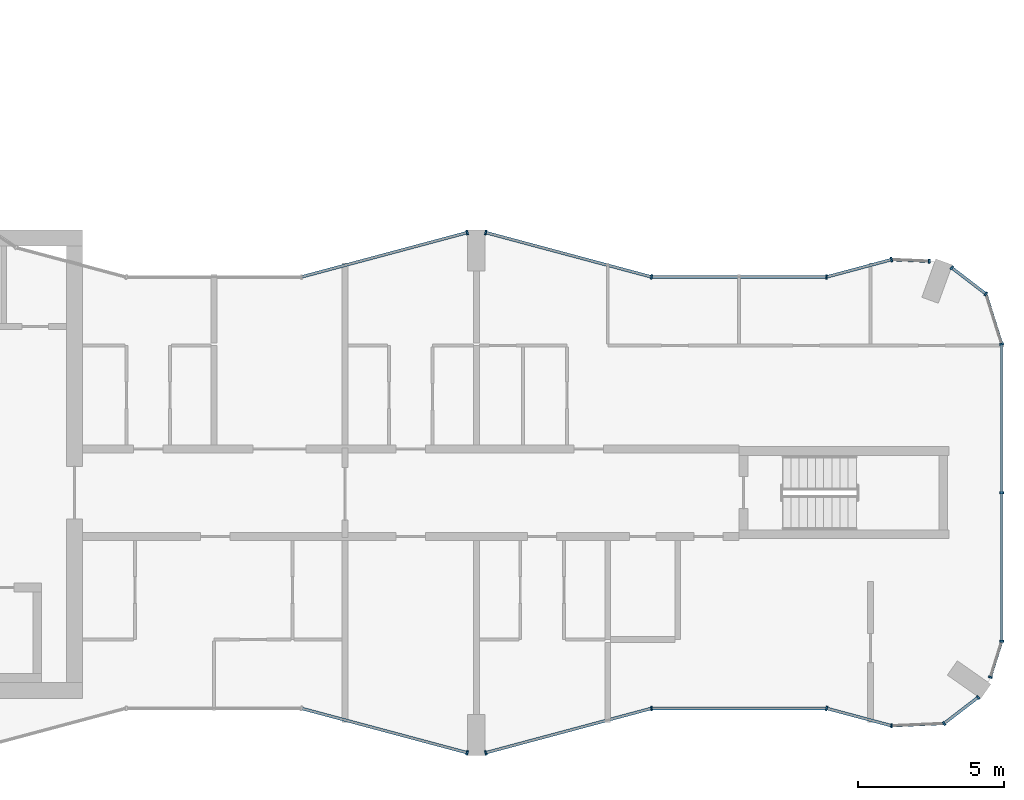
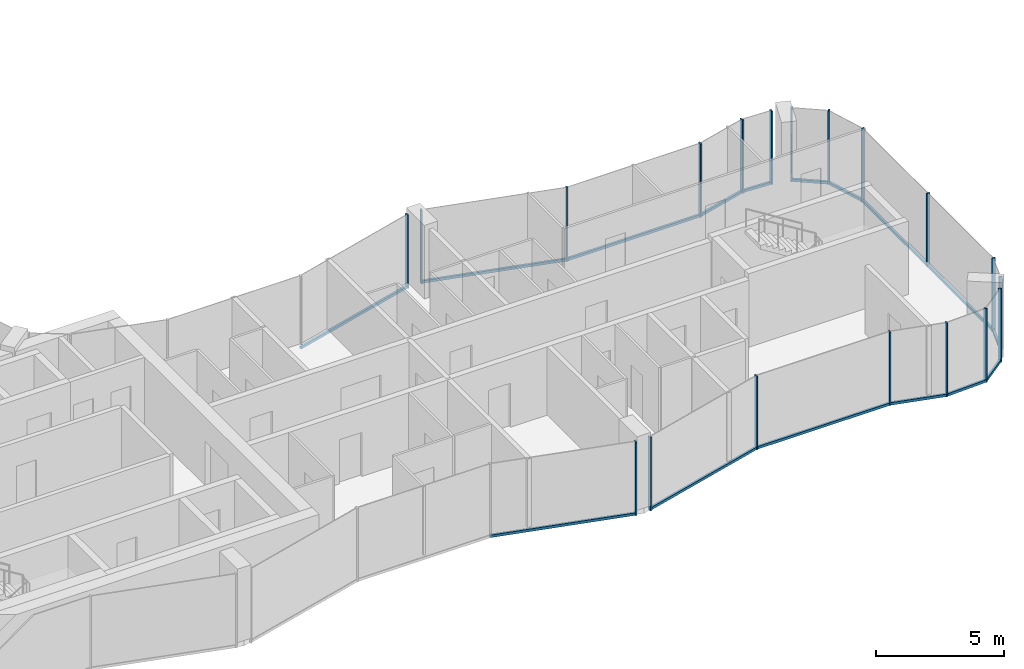
# One storey, part 6 of 16: 34 members, 15 elements without a shape of their own.
"""IFC4 building model written with IfcOpenShell, lengths in metres."""

import ifcopenshell
import ifcopenshell.guid

model = None  # the IFC model being written
_history = None  # IfcOwnerHistory: only IFC2X3 demands one
_inside = {}  # id of a spatial element -> (the spatial element, [elements in it])
_under = {}  # id of a project, library or spatial element -> (it, [spatial elements below it])
_declared = {}  # id of a project -> (the project, [libraries it declares])
_typed = {}  # id of a type object -> (the type object, [elements of that type])
_made_of = {}  # id of a material, layer set ... -> (it, [elements and type objects made of it])


def new_model(schema):
    """Start an empty IFC model of exactly this schema.

    Asked for "IFC4X3", IfcOpenShell would pick the latest addendum, in which some entities
    have other attributes; the version numbers below select the first issue.
    IFC2X3 requires an IfcOwnerHistory on every rooted entity: one is made here for all.
    """
    global model, _history
    if schema == "IFC4X3":
        model = ifcopenshell.file(schema_version=(4, 3, 0, 0))
    else:
        model = ifcopenshell.file(schema=schema)
    _inside.clear()
    _under.clear()
    _declared.clear()
    _typed.clear()
    _made_of.clear()
    _history = None
    if model.schema == "IFC2X3":
        org = make("IfcOrganization", Name="unknown")
        user = make(
            "IfcPersonAndOrganization",
            ThePerson=make("IfcPerson", FamilyName="unknown"),
            TheOrganization=org,
        )
        app = make(
            "IfcApplication",
            ApplicationDeveloper=org,
            Version="unknown",
            ApplicationFullName="unknown",
            ApplicationIdentifier="unknown",
        )
        _history = make(
            "IfcOwnerHistory",
            OwningUser=user,
            OwningApplication=app,
            ChangeAction="ADDED",
            CreationDate=0,
        )
    return model


def make(cls, **values):
    """One entity of the class cls with the attributes given. An attribute that is None is left unset."""
    return model.create_entity(
        cls, **{name: value for name, value in values.items() if value is not None}
    )


def rooted(cls, **values):
    """An entity with a GlobalId (a new one), such as an element, a storey or a relation."""
    return make(cls, GlobalId=ifcopenshell.guid.new(), OwnerHistory=_history, **values)


def si_unit(unit_type, name, prefix=None):
    """IfcSIUnit, for example si_unit("LENGTHUNIT", "METRE", prefix="MILLI")."""
    return make("IfcSIUnit", UnitType=unit_type, Prefix=prefix, Name=name)


def assignment(units):
    """IfcUnitAssignment: the units of a project."""
    return None if units is None else make("IfcUnitAssignment", Units=units)


def point(xyz):
    """IfcCartesianPoint."""
    return None if xyz is None else make("IfcCartesianPoint", Coordinates=xyz)


def direction(xyz):
    """IfcDirection."""
    return None if xyz is None else make("IfcDirection", DirectionRatios=xyz)


def frame(location, z_axis=None, x_axis=None):
    """IfcAxis2Placement3D, a coordinate frame: its origin and axes. An axis left out is left unset."""
    return make(
        "IfcAxis2Placement3D",
        Location=point(location),
        Axis=direction(z_axis),
        RefDirection=direction(x_axis),
    )


def frame_2d(location, x_axis=None):
    """IfcAxis2Placement2D, a coordinate frame in the plane: its origin and x axis."""
    return make(
        "IfcAxis2Placement2D", Location=point(location), RefDirection=direction(x_axis)
    )


def origin():
    """The frame at (0, 0, 0) with its axes left unset."""
    return frame((0.0, 0.0, 0.0))


def origin_2d():
    """The frame at (0, 0) in the plane with its x axis left unset."""
    return frame_2d((0.0, 0.0))


def place(relative_to, where):
    """IfcLocalPlacement: puts the frame where relative to a parent placement (None: the world)."""
    return make(
        "IfcLocalPlacement", PlacementRelTo=relative_to, RelativePlacement=where
    )


def context(
    kind, dimensions, precision=None, world=None, true_north=None, identifier=None
):
    """IfcGeometricRepresentationContext, for example the 3D "Model" context."""
    return make(
        "IfcGeometricRepresentationContext",
        ContextIdentifier=identifier,
        ContextType=kind,
        CoordinateSpaceDimension=dimensions,
        Precision=precision,
        WorldCoordinateSystem=world,
        TrueNorth=true_north,
    )


def subcontext(parent, identifier, kind, view, scale=None):
    """IfcGeometricRepresentationSubContext, for example "Body" below "Model"."""
    return make(
        "IfcGeometricRepresentationSubContext",
        ContextIdentifier=identifier,
        ContextType=kind,
        ParentContext=parent,
        TargetScale=scale,
        TargetView=view,
    )


def project(units=None, contexts=None):
    """IfcProject with its units and contexts."""
    return rooted(
        "IfcProject",
        Name="project",
        RepresentationContexts=contexts,
        UnitsInContext=assignment(units),
    )


def spatial(cls, under=None, at=None, **own):
    """A site, building, storey or space (cls), placed at a placement, below another one or the project."""
    s = rooted(cls, ObjectPlacement=at, **own)
    if under is not None:
        _under.setdefault(under.id(), (under, []))[1].append(s)
    return s


def profile(cls, at=None, kind="AREA", **sizes):
    """A parametric profile (cls). Its sizes go by their IFC names, for example OverallWidth=200.0."""
    return make(cls, ProfileType=kind, Position=at, **sizes)


def rectangle(**sizes):
    """IfcRectangleProfileDef."""
    return profile("IfcRectangleProfileDef", **sizes)


def extrude(swept, where, along, depth):
    """IfcExtrudedAreaSolid: the profile swept, set in the frame where, extruded along a direction by depth."""
    return make(
        "IfcExtrudedAreaSolid",
        SweptArea=swept,
        Position=where,
        ExtrudedDirection=direction(along),
        Depth=depth,
    )


def shape(context_of_items, identifier, shape_type, items):
    """IfcShapeRepresentation: the items that make up one representation, for example the "Body"."""
    return make(
        "IfcShapeRepresentation",
        ContextOfItems=context_of_items,
        RepresentationIdentifier=identifier,
        RepresentationType=shape_type,
        Items=items,
    )


def material(Name=None, Category=None):
    """IfcMaterial."""
    return make("IfcMaterial", Name=Name, Category=Category)


def layer(
    of_material, thickness, ventilated=None, Name=None, Category=None, Priority=None
):
    """IfcMaterialLayer: one layer of a wall or slab, of a material (None: an air gap)."""
    return make(
        "IfcMaterialLayer",
        Material=of_material,
        LayerThickness=thickness,
        IsVentilated=ventilated,
        Name=Name,
        Category=Category,
        Priority=Priority,
    )


def layer_set(layers, Name=None):
    """IfcMaterialLayerSet."""
    return make("IfcMaterialLayerSet", MaterialLayers=layers, LayerSetName=Name)


def material_profile(
    of_material, cross_section, Name=None, Category=None, Priority=None
):
    """IfcMaterialProfile: a cross section and its material."""
    return make(
        "IfcMaterialProfile",
        Name=Name,
        Material=of_material,
        Profile=cross_section,
        Priority=Priority,
        Category=Category,
    )


def profile_set(profiles, Name=None, composite=None):
    """IfcMaterialProfileSet."""
    return make(
        "IfcMaterialProfileSet",
        Name=Name,
        MaterialProfiles=profiles,
        CompositeProfile=composite,
    )


def made_of(thing, what):
    """Note that an element or type object is made of a material, layer set ...; save() writes the relation."""
    if what is not None:
        _made_of.setdefault(what.id(), (what, []))[1].append(thing)
    return thing


def type_object(cls, material=None, **own):
    """A type object (cls), such as IfcWallType, which elements share."""
    return made_of(rooted(cls, **own), material)


def element(
    cls,
    number,
    at=None,
    inside=None,
    cuts=None,
    type_object=None,
    material=None,
    context=None,
    identifier="Body",
    shape_type=None,
    held_by="IfcProductDefinitionShape",
    body=None,
    shapes=None,
    **own,
):
    """One element of the class cls, such as IfcWall. Its Tag is "e" and its number.

    at: its placement. inside: the storey or other place that contains it. cuts: it is an
    opening in that element (IfcRelVoidsElement). A single representation is given by context,
    identifier, shape_type and body (its items); several are given by shapes. held_by: the class
    of the entity that holds the representations. save() writes the other relations.
    """
    e = rooted(cls, Tag="e%d" % number, ObjectPlacement=at, **own)
    if body is not None:
        shapes = [shape(context, identifier, shape_type, body)]
    if shapes is not None:
        e.Representation = make(held_by, Representations=shapes)
    if inside is not None:
        _inside.setdefault(inside.id(), (inside, []))[1].append(e)
    if cuts is not None:
        rooted(
            "IfcRelVoidsElement", RelatingBuildingElement=cuts, RelatedOpeningElement=e
        )
    if type_object is not None:
        _typed.setdefault(type_object.id(), (type_object, []))[1].append(e)
    return made_of(e, material)


def aggregate(whole, parts):
    """IfcRelAggregates: a whole, such as a stair, and the parts it consists of."""
    return rooted("IfcRelAggregates", RelatingObject=whole, RelatedObjects=parts)


def save(model, path):
    """Write the relations noted so far, then the file.

    IfcRelAggregates (storeys below a building ...), IfcRelContainedInSpatialStructure (elements
    in a storey), IfcRelDefinesByType, IfcRelAssociatesMaterial and IfcRelDeclares: one each for
    every whole, place, type object, material and project.
    """
    for whole, parts in _under.values():
        aggregate(whole, parts)
    for where, things in _inside.values():
        rooted(
            "IfcRelContainedInSpatialStructure",
            RelatedElements=things,
            RelatingStructure=where,
        )
    for kind, things in _typed.values():
        rooted("IfcRelDefinesByType", RelatedObjects=things, RelatingType=kind)
    for what, things in _made_of.values():
        rooted("IfcRelAssociatesMaterial", RelatedObjects=things, RelatingMaterial=what)
    for by, libraries in _declared.values():
        rooted("IfcRelDeclares", RelatingContext=by, RelatedDefinitions=libraries)
    model.write(path)


model = new_model("IFC4")

# Units and contexts
model_context = context("Model", 3, precision=1e-05, world=origin(), true_north=direction((0.0, 1.0)))
body_context = subcontext(model_context, "Body", "Model", "MODEL_VIEW")
ifc_project = project(units=[si_unit("LENGTHUNIT", "METRE"), si_unit("AREAUNIT", "SQUARE_METRE"), si_unit("VOLUMEUNIT", "CUBIC_METRE"), si_unit("PLANEANGLEUNIT", "RADIAN"), si_unit("MASSUNIT", "GRAM", prefix="KILO")], contexts=[model_context])

# Site, building, storey
site_placement = place(None, origin())
site = spatial("IfcSite", under=ifc_project, at=site_placement, CompositionType="ELEMENT")
building_placement = place(site_placement, origin())
building = spatial("IfcBuilding", under=site, at=building_placement, Name="Plateau Cross Towers", CompositionType="ELEMENT")
storey_placement = place(building_placement, frame((0.0, 0.0, 211.89990234375)))
storey = spatial("IfcBuildingStorey", under=building, at=storey_placement, Name="L55", CompositionType="ELEMENT", Elevation=211.89990234375)

# Curtain wall, member
ifc_material_1 = material(Name="Dark low-iron glass", Category="glass")
ifc_layer_1 = layer(ifc_material_1, 0.239990234375)
ifc_layer_set_1 = layer_set([ifc_layer_1], Name="Dark low-iron glass")
curtain_wall_type_1 = type_object("IfcCurtainWallType", Name="Curtain wall flush unitised CW-B", PredefinedType="NOTDEFINED", material=ifc_layer_set_1)
curtain_wall_1_placement = place(storey_placement, origin())
curtain_wall_1 = element("IfcCurtainWall", 1, at=curtain_wall_1_placement, inside=storey, type_object=curtain_wall_type_1, Name="ENV/A/L55/A502_10", PredefinedType="NOTDEFINED")
ifc_material_2 = material(Name="Black anodised aluminium", Category="aluminium")
ifc_material_profile_1 = material_profile(ifc_material_2, rectangle(XDim=0.06005859375, YDim=0.139892578125, at=origin_2d()), Name="MULLION 60x140")
ifc_profile_set_1 = profile_set([ifc_material_profile_1], Name="Black anodised aluminium")
member_type_1 = type_object("IfcMemberType", Name="Mullion 60x140 flush unitised", PredefinedType="MULLION", material=ifc_profile_set_1)
member_1_placement = place(storey_placement, frame((50.223876953125, 1.01123046875, -0.25), z_axis=(0.0, 0.0, 1.0), x_axis=(0.999043701491, 0.043722791671, 0.0)))
member_1 = element("IfcMember", 2, at=member_1_placement, type_object=member_type_1, Name="CW-B mullion 1", PredefinedType="MULLION", context=body_context, shape_type="SweptSolid", body=[
    extrude(rectangle(XDim=0.06005859375, YDim=0.139892578125, at=origin_2d()), origin(), (0.0, 0.0, 1.0), 3.5),
])

# Curtain wall, members
curtain_wall_2_placement = place(storey_placement, origin())
curtain_wall_2 = element("IfcCurtainWall", 3, at=curtain_wall_2_placement, inside=storey, type_object=curtain_wall_type_1, Name="ENV/A/L55/A520_11", PredefinedType="NOTDEFINED")
member_2_placement = place(storey_placement, frame((52.0263671875, 1.090087890625, -0.25), z_axis=(0.0, 0.0, 1.0), x_axis=(0.793315514529, 0.608810721331, 0.0)))
member_2 = element("IfcMember", 4, at=member_2_placement, type_object=member_type_1, Name="CW-B mullion 1", PredefinedType="MULLION", context=body_context, shape_type="SweptSolid", body=[
    extrude(rectangle(XDim=0.06005859375, YDim=0.139892578125, at=origin_2d()), origin(), (0.0, 0.0, 1.0), 3.5),
])
member_3_placement = place(storey_placement, frame((53.193603515625, 1.986083984375, -0.25), z_axis=(0.0, 0.0, 1.0), x_axis=(0.793315514529, 0.608810721331, 0.0)))
member_3 = element("IfcMember", 5, at=member_3_placement, type_object=member_type_1, Name="CW-B mullion 2", PredefinedType="MULLION", context=body_context, shape_type="SweptSolid", body=[
    extrude(rectangle(XDim=0.06005859375, YDim=0.139892578125, at=origin_2d()), origin(), (0.0, 0.0, 1.0), 3.5),
])

# Curtain wall, member
curtain_wall_3_placement = place(storey_placement, origin())
curtain_wall_3 = element("IfcCurtainWall", 6, at=curtain_wall_3_placement, inside=storey, type_object=curtain_wall_type_1, Name="ENV/A/L55/A536_27", PredefinedType="NOTDEFINED")
member_4_placement = place(storey_placement, frame((53.611083984375, 2.67529296875, -0.25), z_axis=(0.0, 0.0, 1.0), x_axis=(0.300686174994, 0.95372313811, 0.0)))
member_4 = element("IfcMember", 7, at=member_4_placement, type_object=member_type_1, Name="CW-B mullion 1", PredefinedType="MULLION", context=body_context, shape_type="SweptSolid", body=[
    extrude(rectangle(XDim=0.06005859375, YDim=0.139892578125, at=origin_2d()), origin(), (0.0, 0.0, 1.0), 3.5),
])

# Curtain wall, members
curtain_wall_4_placement = place(storey_placement, origin())
curtain_wall_4 = element("IfcCurtainWall", 8, at=curtain_wall_4_placement, inside=storey, type_object=curtain_wall_type_1, Name="ENV/A/L55/A540_39", PredefinedType="NOTDEFINED")
member_5_placement = place(storey_placement, frame((54.0, 3.9091796875, -0.25), z_axis=(0.0, 0.0, 1.0), x_axis=(0.0, 1.0, 0.0)))
member_5 = element("IfcMember", 9, at=member_5_placement, type_object=member_type_1, Name="CW-B mullion 1", PredefinedType="MULLION", context=body_context, shape_type="SweptSolid", body=[
    extrude(rectangle(XDim=0.06005859375, YDim=0.139892578125, at=origin_2d()), origin(), (0.0, 0.0, 1.0), 3.5),
])
member_6_placement = place(storey_placement, frame((54.0, 9.0, -0.25), z_axis=(0.0, 0.0, 1.0), x_axis=(0.0, 1.0, 0.0)))
member_6 = element("IfcMember", 10, at=member_6_placement, type_object=member_type_1, Name="CW-B mullion 2", PredefinedType="MULLION", context=body_context, shape_type="SweptSolid", body=[
    extrude(rectangle(XDim=0.06005859375, YDim=0.139892578125, at=origin_2d()), origin(), (0.0, 0.0, 1.0), 3.5),
])

# Curtain wall, member
curtain_wall_5_placement = place(storey_placement, origin())
curtain_wall_5 = element("IfcCurtainWall", 11, at=curtain_wall_5_placement, inside=storey, type_object=curtain_wall_type_1, Name="ENV/A/L55/A540_141", PredefinedType="NOTDEFINED")
member_7_placement = place(storey_placement, frame((54.0, 14.0908203125, -0.25), z_axis=(0.0, 0.0, 1.0), x_axis=(-0.300686174994, 0.95372313811, 0.0)))
member_7 = element("IfcMember", 12, at=member_7_placement, type_object=member_type_1, Name="CW-B mullion 1", PredefinedType="MULLION", context=body_context, shape_type="SweptSolid", body=[
    extrude(rectangle(XDim=0.06005859375, YDim=0.139892578125, at=origin_2d()), origin(), (0.0, 0.0, 1.0), 3.5),
])

# Curtain wall, members
curtain_wall_6_placement = place(storey_placement, origin())
curtain_wall_6 = element("IfcCurtainWall", 13, at=curtain_wall_6_placement, inside=storey, type_object=curtain_wall_type_1, Name="ENV/A/L55/A535_158", PredefinedType="NOTDEFINED")
member_8_placement = place(storey_placement, frame((53.45751953125, 15.8115234375, -0.25), z_axis=(0.0, 0.0, 1.0), x_axis=(-0.793315514529, 0.608810721331, 0.0)))
member_8 = element("IfcMember", 14, at=member_8_placement, type_object=member_type_1, Name="CW-B mullion 1", PredefinedType="MULLION", context=body_context, shape_type="SweptSolid", body=[
    extrude(rectangle(XDim=0.06005859375, YDim=0.139892578125, at=origin_2d()), origin(), (0.0, 0.0, 1.0), 3.5),
])
member_9_placement = place(storey_placement, frame((52.290283203125, 16.707275390625, -0.25), z_axis=(0.0, 0.0, 1.0), x_axis=(-0.793315514529, 0.608810721331, 0.0)))
member_9 = element("IfcMember", 15, at=member_9_placement, type_object=member_type_1, Name="CW-B mullion 2", PredefinedType="MULLION", context=body_context, shape_type="SweptSolid", body=[
    extrude(rectangle(XDim=0.06005859375, YDim=0.139892578125, at=origin_2d()), origin(), (0.0, 0.0, 1.0), 3.5),
])

# Curtain wall, member
curtain_wall_7_placement = place(storey_placement, origin())
curtain_wall_7 = element("IfcCurtainWall", 16, at=curtain_wall_7_placement, inside=storey, type_object=curtain_wall_type_1, Name="ENV/A/L55/A515_169", PredefinedType="NOTDEFINED")
member_10_placement = place(storey_placement, frame((51.516357421875, 16.93212890625, -0.25), z_axis=(0.0, 0.0, 1.0), x_axis=(-0.999043701491, 0.043722791671, 0.0)))
member_10 = element("IfcMember", 17, at=member_10_placement, type_object=member_type_1, Name="CW-B mullion 1", PredefinedType="MULLION", context=body_context, shape_type="SweptSolid", body=[
    extrude(rectangle(XDim=0.06005859375, YDim=0.139892578125, at=origin_2d()), origin(), (0.0, 0.0, 1.0), 3.5),
])

ifc_layer_2 = layer(ifc_material_1, 0.260009765625)
ifc_layer_set_2 = layer_set([ifc_layer_2], Name="Dark low-iron glass")
curtain_wall_type_2 = type_object("IfcCurtainWallType", Name="Curtain wall fluted unitised CW-A", PredefinedType="NOTDEFINED", material=ifc_layer_set_2)
curtain_wall_8_placement = place(storey_placement, origin())
curtain_wall_8 = element("IfcCurtainWall", 18, at=curtain_wall_8_placement, inside=storey, type_object=curtain_wall_type_2, Name="ENV/A/L55/A300_16", PredefinedType="NOTDEFINED")
ifc_material_profile_2 = material_profile(ifc_material_2, rectangle(XDim=0.06005859375, YDim=0.159912109375, at=origin_2d()), Name="MULLION 60x160")
ifc_profile_set_2 = profile_set([ifc_material_profile_2], Name="Black anodised aluminium")
member_type_2 = type_object("IfcMemberType", Name="Mullion 60x160 fluted unitised", PredefinedType="MULLION", material=ifc_profile_set_2)
member_11_placement = place(storey_placement, frame((35.68212890625, 0.085205078125, -0.25), z_axis=(0.0, 0.0, 1.0), x_axis=(0.965957983404, -0.258699003279, 0.0)))
member_11 = element("IfcMember", 19, at=member_11_placement, type_object=member_type_2, Name="CW-A mullion 2", PredefinedType="MULLION", context=body_context, shape_type="SweptSolid", body=[
    extrude(rectangle(XDim=0.06005859375, YDim=0.159912109375, at=origin_2d()), origin(), (0.0, 0.0, 1.0), 3.5),
])

curtain_wall_9_placement = place(storey_placement, origin())
curtain_wall_9 = element("IfcCurtainWall", 20, at=curtain_wall_9_placement, inside=storey, type_object=curtain_wall_type_2, Name="ENV/A/L55/A363_1", PredefinedType="NOTDEFINED")
member_12_placement = place(storey_placement, frame((36.31787109375, 0.085205078125, -0.25), z_axis=(0.0, 0.0, 1.0), x_axis=(0.965957983404, 0.258699003279, 0.0)))
member_12 = element("IfcMember", 21, at=member_12_placement, type_object=member_type_2, Name="CW-A mullion 1", PredefinedType="MULLION", context=body_context, shape_type="SweptSolid", body=[
    extrude(rectangle(XDim=0.06005859375, YDim=0.159912109375, at=origin_2d()), origin(), (0.0, 0.0, 1.0), 3.5),
])

curtain_wall_10_placement = place(storey_placement, origin())
curtain_wall_10 = element("IfcCurtainWall", 22, at=curtain_wall_10_placement, inside=storey, type_object=curtain_wall_type_2, Name="ENV/A/L55/A420_16", PredefinedType="NOTDEFINED")
member_13_placement = place(storey_placement, frame((42.0, 1.60693359375, -0.25), z_axis=(0.0, 0.0, 1.0), x_axis=(1.0, 0.0, 0.0)))
member_13 = element("IfcMember", 23, at=member_13_placement, type_object=member_type_2, Name="CW-A mullion 1", PredefinedType="MULLION", context=body_context, shape_type="SweptSolid", body=[
    extrude(rectangle(XDim=0.06005859375, YDim=0.159912109375, at=origin_2d()), origin(), (0.0, 0.0, 1.0), 3.5),
])

curtain_wall_11_placement = place(storey_placement, origin())
curtain_wall_11 = element("IfcCurtainWall", 24, at=curtain_wall_11_placement, inside=storey, type_object=curtain_wall_type_2, Name="ENV/A/L55/A480_16", PredefinedType="NOTDEFINED")
member_14_placement = place(storey_placement, frame((48.0, 1.60693359375, -0.25), z_axis=(0.0, 0.0, 1.0), x_axis=(0.965957962328, -0.258699081978, 0.0)))
member_14 = element("IfcMember", 25, at=member_14_placement, type_object=member_type_2, Name="CW-A mullion 1", PredefinedType="MULLION", context=body_context, shape_type="SweptSolid", body=[
    extrude(rectangle(XDim=0.06005859375, YDim=0.159912109375, at=origin_2d()), origin(), (0.0, 0.0, 1.0), 3.5),
])

curtain_wall_12_placement = place(storey_placement, origin())
curtain_wall_12 = element("IfcCurtainWall", 26, at=curtain_wall_12_placement, inside=storey, type_object=curtain_wall_type_2, Name="ENV/A/L55/A502_170", PredefinedType="NOTDEFINED")
member_15_placement = place(storey_placement, frame((50.223876953125, 16.98876953125, -0.25), z_axis=(0.0, 0.0, 1.0), x_axis=(-0.965957962328, -0.258699081978, 0.0)))
member_15 = element("IfcMember", 27, at=member_15_placement, type_object=member_type_2, Name="CW-A mullion 1", PredefinedType="MULLION", context=body_context, shape_type="SweptSolid", body=[
    extrude(rectangle(XDim=0.06005859375, YDim=0.159912109375, at=origin_2d()), origin(), (0.0, 0.0, 1.0), 3.5),
])

curtain_wall_13_placement = place(storey_placement, origin())
curtain_wall_13 = element("IfcCurtainWall", 28, at=curtain_wall_13_placement, inside=storey, type_object=curtain_wall_type_2, Name="ENV/A/L55/A480_164", PredefinedType="NOTDEFINED")
member_16_placement = place(storey_placement, frame((48.0, 16.39306640625, -0.25), z_axis=(0.0, 0.0, 1.0), x_axis=(-1.0, 0.0, 0.0)))
member_16 = element("IfcMember", 29, at=member_16_placement, type_object=member_type_2, Name="CW-A mullion 1", PredefinedType="MULLION", context=body_context, shape_type="SweptSolid", body=[
    extrude(rectangle(XDim=0.06005859375, YDim=0.159912109375, at=origin_2d()), origin(), (0.0, 0.0, 1.0), 3.5),
])

# Curtain wall, members
curtain_wall_14_placement = place(storey_placement, origin())
curtain_wall_14 = element("IfcCurtainWall", 30, at=curtain_wall_14_placement, inside=storey, type_object=curtain_wall_type_2, Name="ENV/A/L55/A420_164", PredefinedType="NOTDEFINED")
member_17_placement = place(storey_placement, frame((42.0, 16.39306640625, -0.25), z_axis=(0.0, 0.0, 1.0), x_axis=(-0.965957983404, 0.258699003279, 0.0)))
member_17 = element("IfcMember", 31, at=member_17_placement, type_object=member_type_2, Name="CW-A mullion 1", PredefinedType="MULLION", context=body_context, shape_type="SweptSolid", body=[
    extrude(rectangle(XDim=0.06005859375, YDim=0.159912109375, at=origin_2d()), origin(), (0.0, 0.0, 1.0), 3.5),
])
member_18_placement = place(storey_placement, frame((36.31787109375, 17.914794921875, -0.25), z_axis=(0.0, 0.0, 1.0), x_axis=(-0.965957983404, 0.258699003279, 0.0)))
member_18 = element("IfcMember", 32, at=member_18_placement, type_object=member_type_2, Name="CW-A mullion 2", PredefinedType="MULLION", context=body_context, shape_type="SweptSolid", body=[
    extrude(rectangle(XDim=0.06005859375, YDim=0.159912109375, at=origin_2d()), origin(), (0.0, 0.0, 1.0), 3.5),
])

# Curtain wall, member
curtain_wall_15_placement = place(storey_placement, origin())
curtain_wall_15 = element("IfcCurtainWall", 33, at=curtain_wall_15_placement, inside=storey, type_object=curtain_wall_type_2, Name="ENV/A/L55/A357_179", PredefinedType="NOTDEFINED")
member_19_placement = place(storey_placement, frame((35.68212890625, 17.914794921875, -0.25), z_axis=(0.0, 0.0, 1.0), x_axis=(-0.965957983404, -0.258699003279, 0.0)))
member_19 = element("IfcMember", 34, at=member_19_placement, type_object=member_type_2, Name="CW-A mullion 1", PredefinedType="MULLION", context=body_context, shape_type="SweptSolid", body=[
    extrude(rectangle(XDim=0.06005859375, YDim=0.159912109375, at=origin_2d()), origin(), (0.0, 0.0, 1.0), 3.5),
])

# Member
ifc_material_profile_3 = material_profile(ifc_material_2, rectangle(XDim=0.10009765625, YDim=0.1201171875, at=origin_2d()), Name="TRANSOM 100x120")
ifc_profile_set_3 = profile_set([ifc_material_profile_3], Name="Black anodised aluminium")
member_type_3 = type_object("IfcMemberType", Name="Transom 100x120 flush unitised", PredefinedType="USERDEFINED", material=ifc_profile_set_3)
member_20_placement = place(storey_placement, frame((50.223876953125, 1.01123046875, -0.18994140625), z_axis=(0.999044377355, 0.043707345779, 0.0), x_axis=(-0.043707345779, 0.999044377355, 0.0)))
member_20 = element("IfcMember", 35, at=member_20_placement, type_object=member_type_3, Name="CW-B transom", ObjectType="TRANSOM", PredefinedType="USERDEFINED", context=body_context, shape_type="SweptSolid", body=[
    extrude(rectangle(XDim=0.10009765625, YDim=0.1201171875, at=origin_2d()), origin(), (0.0, 0.0, 1.0), 1.80419921875),
])

aggregate(curtain_wall_1, [member_1, member_20])

member_21_placement = place(storey_placement, frame((52.0263671875, 1.090087890625, -0.18994140625), z_axis=(0.793240368515, 0.608908628415, 0.0), x_axis=(-0.608908628415, 0.793240368515, 0.0)))
member_21 = element("IfcMember", 36, at=member_21_placement, type_object=member_type_3, Name="CW-B transom", ObjectType="TRANSOM", PredefinedType="USERDEFINED", context=body_context, shape_type="SweptSolid", body=[
    extrude(rectangle(XDim=0.10009765625, YDim=0.1201171875, at=origin_2d()), origin(), (0.0, 0.0, 1.0), 1.471435546875),
])

aggregate(curtain_wall_2, [member_2, member_3, member_21])

member_22_placement = place(storey_placement, frame((53.611083984375, 2.67529296875, -0.18994140625), z_axis=(0.300616528216, 0.953745093284, 0.0), x_axis=(-0.953745093284, 0.300616528216, 0.0)))
member_22 = element("IfcMember", 37, at=member_22_placement, type_object=member_type_3, Name="CW-B transom", ObjectType="TRANSOM", PredefinedType="USERDEFINED", context=body_context, shape_type="SweptSolid", body=[
    extrude(rectangle(XDim=0.10009765625, YDim=0.1201171875, at=origin_2d()), origin(), (0.0, 0.0, 1.0), 1.293701171875),
])

aggregate(curtain_wall_3, [member_4, member_22])

member_23_placement = place(storey_placement, frame((54.0, 3.9091796875, -0.18994140625), z_axis=(0.0, 1.0, 0.0), x_axis=(-1.0, 0.0, 0.0)))
member_23 = element("IfcMember", 38, at=member_23_placement, type_object=member_type_3, Name="CW-B transom", ObjectType="TRANSOM", PredefinedType="USERDEFINED", context=body_context, shape_type="SweptSolid", body=[
    extrude(rectangle(XDim=0.10009765625, YDim=0.1201171875, at=origin_2d()), origin(), (0.0, 0.0, 1.0), 10.181640625),
])

aggregate(curtain_wall_4, [member_5, member_6, member_23])

member_24_placement = place(storey_placement, frame((54.0, 14.0908203125, -0.18994140625), z_axis=(-0.30067799945, 0.953725715626, 0.0), x_axis=(-0.953725715626, -0.30067799945, 0.0)))
member_24 = element("IfcMember", 39, at=member_24_placement, type_object=member_type_3, Name="CW-B transom", ObjectType="TRANSOM", PredefinedType="USERDEFINED", context=body_context, shape_type="SweptSolid", body=[
    extrude(rectangle(XDim=0.10009765625, YDim=0.1201171875, at=origin_2d()), origin(), (0.0, 0.0, 1.0), 1.80419921875),
])

aggregate(curtain_wall_5, [member_7, member_24])

member_25_placement = place(storey_placement, frame((53.45751953125, 15.8115234375, -0.18994140625), z_axis=(-0.793320508571, 0.608804213751, 0.0), x_axis=(-0.608804213751, -0.793320508571, 0.0)))
member_25 = element("IfcMember", 40, at=member_25_placement, type_object=member_type_3, Name="CW-B transom", ObjectType="TRANSOM", PredefinedType="USERDEFINED", context=body_context, shape_type="SweptSolid", body=[
    extrude(rectangle(XDim=0.10009765625, YDim=0.1201171875, at=origin_2d()), origin(), (0.0, 0.0, 1.0), 1.471435546875),
])

aggregate(curtain_wall_6, [member_8, member_9, member_25])

member_26_placement = place(storey_placement, frame((51.516357421875, 16.93212890625, -0.18994140625), z_axis=(-0.999041144614, 0.043781175963, 0.0), x_axis=(-0.043781175963, -0.999041144614, 0.0)))
member_26 = element("IfcMember", 41, at=member_26_placement, type_object=member_type_3, Name="CW-B transom", ObjectType="TRANSOM", PredefinedType="USERDEFINED", context=body_context, shape_type="SweptSolid", body=[
    extrude(rectangle(XDim=0.10009765625, YDim=0.1201171875, at=origin_2d()), origin(), (0.0, 0.0, 1.0), 1.293701171875),
])

aggregate(curtain_wall_7, [member_10, member_26])

ifc_material_profile_4 = material_profile(ifc_material_2, rectangle(XDim=0.10009765625, YDim=0.1201171875, at=origin_2d()), Name="TRANSOM 100x120")
ifc_profile_set_4 = profile_set([ifc_material_profile_4], Name="Black anodised aluminium")
member_type_4 = type_object("IfcMemberType", Name="Transom 100x120 fluted unitised", PredefinedType="USERDEFINED", material=ifc_profile_set_4)
member_27_placement = place(storey_placement, frame((30.0, 1.60693359375, -0.18994140625), z_axis=(0.965959534794, -0.258693210465, 0.0), x_axis=(0.258693210465, 0.965959534794, 0.0)))
member_27 = element("IfcMember", 42, at=member_27_placement, type_object=member_type_4, Name="CW-A transom", ObjectType="TRANSOM", PredefinedType="USERDEFINED", context=body_context, shape_type="SweptSolid", body=[
    extrude(rectangle(XDim=0.10009765625, YDim=0.1201171875, at=origin_2d()), origin(), (0.0, 0.0, 1.0), 5.88232421875),
])

aggregate(curtain_wall_8, [member_11, member_27])

member_28_placement = place(storey_placement, frame((36.31787109375, 0.085205078125, -0.18994140625), z_axis=(0.965959534794, 0.258693210465, 0.0), x_axis=(-0.258693210465, 0.965959534794, 0.0)))
member_28 = element("IfcMember", 43, at=member_28_placement, type_object=member_type_4, Name="CW-A transom", ObjectType="TRANSOM", PredefinedType="USERDEFINED", context=body_context, shape_type="SweptSolid", body=[
    extrude(rectangle(XDim=0.10009765625, YDim=0.1201171875, at=origin_2d()), origin(), (0.0, 0.0, 1.0), 5.88232421875),
])

aggregate(curtain_wall_9, [member_12, member_28])

member_29_placement = place(storey_placement, frame((42.0, 1.60693359375, -0.18994140625), z_axis=(1.0, 0.0, 0.0), x_axis=(0.0, 1.0, 0.0)))
member_29 = element("IfcMember", 44, at=member_29_placement, type_object=member_type_4, Name="CW-A transom", ObjectType="TRANSOM", PredefinedType="USERDEFINED", context=body_context, shape_type="SweptSolid", body=[
    extrude(rectangle(XDim=0.10009765625, YDim=0.1201171875, at=origin_2d()), origin(), (0.0, 0.0, 1.0), 6.0),
])

aggregate(curtain_wall_10, [member_13, member_29])

member_30_placement = place(storey_placement, frame((48.0, 1.60693359375, -0.18994140625), z_axis=(0.965945685136, -0.258744919501, 0.0), x_axis=(0.258744919501, 0.965945685136, 0.0)))
member_30 = element("IfcMember", 45, at=member_30_placement, type_object=member_type_4, Name="CW-A transom", ObjectType="TRANSOM", PredefinedType="USERDEFINED", context=body_context, shape_type="SweptSolid", body=[
    extrude(rectangle(XDim=0.10009765625, YDim=0.1201171875, at=origin_2d()), origin(), (0.0, 0.0, 1.0), 2.30224609375),
])

aggregate(curtain_wall_11, [member_14, member_30])

member_31_placement = place(storey_placement, frame((50.223876953125, 16.98876953125, -0.18994140625), z_axis=(-0.965945685136, -0.258744919501, 0.0), x_axis=(0.258744919501, -0.965945685136, 0.0)))
member_31 = element("IfcMember", 46, at=member_31_placement, type_object=member_type_4, Name="CW-A transom", ObjectType="TRANSOM", PredefinedType="USERDEFINED", context=body_context, shape_type="SweptSolid", body=[
    extrude(rectangle(XDim=0.10009765625, YDim=0.1201171875, at=origin_2d()), origin(), (0.0, 0.0, 1.0), 2.30224609375),
])

aggregate(curtain_wall_12, [member_15, member_31])

member_32_placement = place(storey_placement, frame((48.0, 16.39306640625, -0.18994140625), z_axis=(-1.0, 0.0, 0.0), x_axis=(0.0, -1.0, 0.0)))
member_32 = element("IfcMember", 47, at=member_32_placement, type_object=member_type_4, Name="CW-A transom", ObjectType="TRANSOM", PredefinedType="USERDEFINED", context=body_context, shape_type="SweptSolid", body=[
    extrude(rectangle(XDim=0.10009765625, YDim=0.1201171875, at=origin_2d()), origin(), (0.0, 0.0, 1.0), 6.0),
])

aggregate(curtain_wall_13, [member_16, member_32])

member_33_placement = place(storey_placement, frame((42.0, 16.39306640625, -0.18994140625), z_axis=(-0.965959534794, 0.258693210465, 0.0), x_axis=(-0.258693210465, -0.965959534794, 0.0)))
member_33 = element("IfcMember", 48, at=member_33_placement, type_object=member_type_4, Name="CW-A transom", ObjectType="TRANSOM", PredefinedType="USERDEFINED", context=body_context, shape_type="SweptSolid", body=[
    extrude(rectangle(XDim=0.10009765625, YDim=0.1201171875, at=origin_2d()), origin(), (0.0, 0.0, 1.0), 5.88232421875),
])

aggregate(curtain_wall_14, [member_17, member_18, member_33])

member_34_placement = place(storey_placement, frame((35.68212890625, 17.914794921875, -0.18994140625), z_axis=(-0.965959534794, -0.258693210465, 0.0), x_axis=(0.258693210465, -0.965959534794, 0.0)))
member_34 = element("IfcMember", 49, at=member_34_placement, type_object=member_type_4, Name="CW-A transom", ObjectType="TRANSOM", PredefinedType="USERDEFINED", context=body_context, shape_type="SweptSolid", body=[
    extrude(rectangle(XDim=0.10009765625, YDim=0.1201171875, at=origin_2d()), origin(), (0.0, 0.0, 1.0), 5.88232421875),
])

aggregate(curtain_wall_15, [member_19, member_34])

save(model, "model.ifc")
